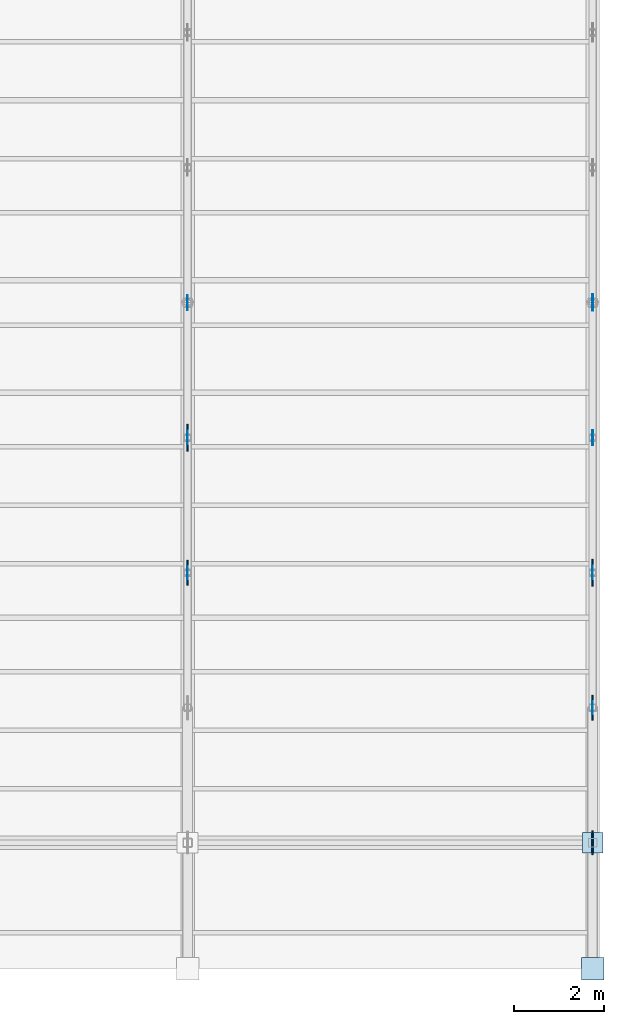
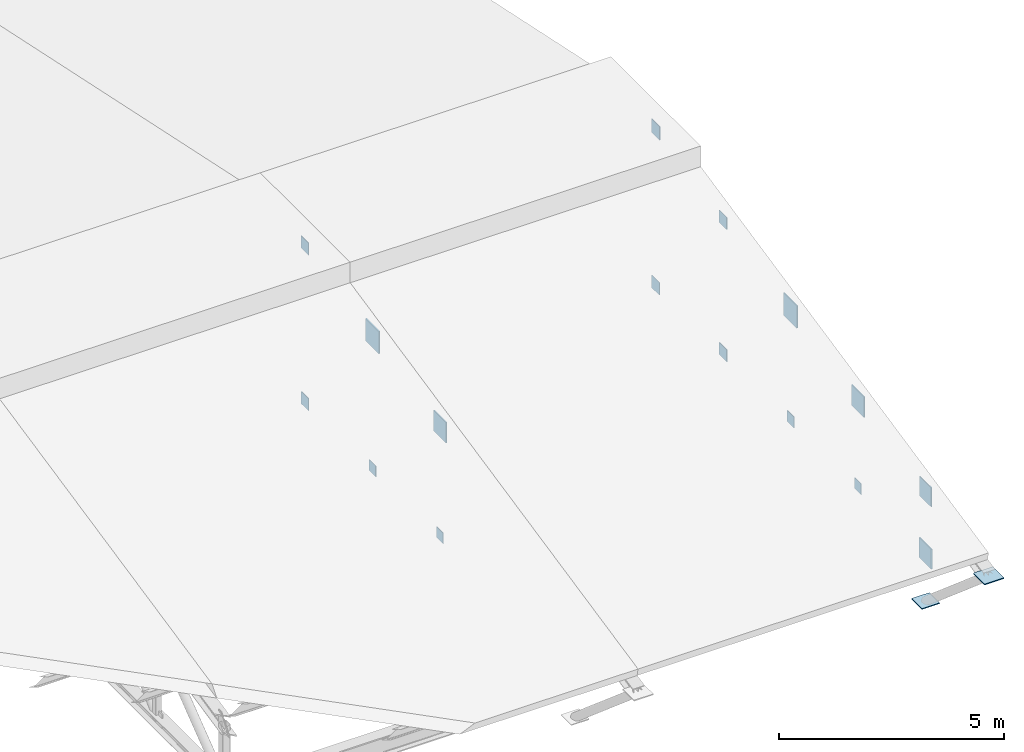
# One storey, part 41 of 43: 18 plates.
"""IFC4 building model written with IfcOpenShell, lengths in metres."""

from ifc_helpers import new_model, si_unit, direction, frame, origin, origin_2d, place, context, subcontext, project, spatial, rectangle, extrude, material, layer, layer_set, type_object, element, save


model = new_model("IFC4")

# Units and contexts
model_context = context("Model", 3, precision=1e-05, world=origin(), true_north=direction((0.0, 1.0)))
body_context = subcontext(model_context, "Body", "Model", "MODEL_VIEW")
ifc_project = project(units=[si_unit("LENGTHUNIT", "METRE"), si_unit("AREAUNIT", "SQUARE_METRE"), si_unit("VOLUMEUNIT", "CUBIC_METRE"), si_unit("PLANEANGLEUNIT", "RADIAN"), si_unit("MASSUNIT", "GRAM", prefix="KILO")], contexts=[model_context])

# Site, building, storey
site_placement = place(None, origin())
site = spatial("IfcSite", under=ifc_project, at=site_placement, CompositionType="ELEMENT")
building_placement = place(site_placement, origin())
building = spatial("IfcBuilding", under=site, at=building_placement, Name="Serraforn Aerial Cableway Station", CompositionType="ELEMENT")
storey_placement = place(building_placement, frame((0.0, 0.0, 18.300048828125)))
storey = spatial("IfcBuildingStorey", under=building, at=storey_placement, Name="RF", CompositionType="ELEMENT", Elevation=18.300048828125)

# Plates
ifc_material = material(Name="Steel S355J2", Category="steel")
ifc_layer_1 = layer(ifc_material, 0.014892578125)
ifc_layer_set_1 = layer_set([ifc_layer_1], Name="Steel S355J2")
plate_type_1 = type_object("IfcPlateType", Name="PLT-CAP-15", PredefinedType="USERDEFINED", material=ifc_layer_set_1)
for number, where, z_axis, x_axis, name in (
    (1, (81.60009765625, 24.0, -1.4951171875), (0.0, 0.0, 1.0), (1.0, 0.0, 0.0), "Truss Bottom Node Cap TR-07-3"),
    (2, (90.60009765625, 21.0, -1.4951171875), (0.0, 0.0, 1.0), (1.0, 0.0, 0.0), "Truss Bottom Node Cap TR-08-2"),
):
    element("IfcPlate", number, at=place(storey_placement, frame(where, z_axis=z_axis, x_axis=x_axis)), inside=storey, type_object=plate_type_1, Name=name, ObjectType="CAP PLATE", PredefinedType="USERDEFINED", context=body_context, shape_type="SweptSolid", body=[
        extrude(rectangle(XDim=0.014892578125, YDim=0.2900390625, at=origin_2d()), origin(), (0.0, 0.0, 1.0), 0.2900390625),
    ])
ifc_layer_2 = layer(ifc_material, 0.01611328125)
ifc_layer_set_2 = layer_set([ifc_layer_2], Name="Steel S355J2")
plate_type_2 = type_object("IfcPlateType", Name="PLT-CAP-16", PredefinedType="USERDEFINED", material=ifc_layer_set_2)
for number, where, z_axis, x_axis, name in (
    (3, (81.60009765625, 27.0, -1.5), (0.0, 0.0, 1.0), (1.0, 0.0, 0.0), "Truss Bottom Node Cap TR-07-4"),
    (4, (90.60009765625, 24.0, -1.5), (0.0, 0.0, 1.0), (1.0, 0.0, 0.0), "Truss Bottom Node Cap TR-08-3"),
):
    element("IfcPlate", number, at=place(storey_placement, frame(where, z_axis=z_axis, x_axis=x_axis)), inside=storey, type_object=plate_type_2, Name=name, ObjectType="CAP PLATE", PredefinedType="USERDEFINED", context=body_context, shape_type="SweptSolid", body=[
        extrude(rectangle(XDim=0.01611328125, YDim=0.300048828125, at=origin_2d()), origin(), (0.0, 0.0, 1.0), 0.300048828125),
    ])
ifc_layer_3 = layer(ifc_material, 0.01708984375)
ifc_layer_set_3 = layer_set([ifc_layer_3], Name="Steel S355J2")
plate_type_3 = type_object("IfcPlateType", Name="PLT-CAP-17", PredefinedType="USERDEFINED", material=ifc_layer_set_3)
for number, where, z_axis, x_axis, name in (
    (5, (81.60009765625, 30.0, -1.51513671875), (0.0, 0.0, 1.0), (1.0, 0.0, 0.0), "Truss Bottom Node Cap TR-07-5"),
    (6, (90.60009765625, 27.0, -1.51513671875), (0.0, 0.0, 1.0), (1.0, 0.0, 0.0), "Truss Bottom Node Cap TR-08-4"),
):
    element("IfcPlate", number, at=place(storey_placement, frame(where, z_axis=z_axis, x_axis=x_axis)), inside=storey, type_object=plate_type_3, Name=name, ObjectType="CAP PLATE", PredefinedType="USERDEFINED", context=body_context, shape_type="SweptSolid", body=[
        extrude(rectangle(XDim=0.01708984375, YDim=0.330078125, at=origin_2d()), origin(), (0.0, 0.0, 1.0), 0.330078125),
    ])
ifc_layer_4 = layer(ifc_material, 0.01806640625)
ifc_layer_set_4 = layer_set([ifc_layer_4], Name="Steel S355J2")
plate_type_4 = type_object("IfcPlateType", Name="PLT-CAP-18", PredefinedType="USERDEFINED", material=ifc_layer_set_4)
plate_1_placement = place(storey_placement, frame((90.60009765625, 30.0, -1.52001953125), z_axis=(0.0, 0.0, 1.0), x_axis=(1.0, 0.0, 0.0)))
element("IfcPlate", 7, at=plate_1_placement, inside=storey, type_object=plate_type_4, Name="Truss Bottom Node Cap TR-08-5", ObjectType="CAP PLATE", PredefinedType="USERDEFINED", context=body_context, shape_type="SweptSolid", body=[
    extrude(rectangle(XDim=0.01806640625, YDim=0.340087890625, at=origin_2d()), origin(), (0.0, 0.0, 1.0), 0.340087890625),
])
ifc_layer_5 = layer(ifc_material, 0.02392578125)
ifc_layer_set_5 = layer_set([ifc_layer_5], Name="Steel S355J2")
plate_type_5 = type_object("IfcPlateType", Name="PLT-CAP-24", PredefinedType="USERDEFINED", material=ifc_layer_set_5)
plate_2_placement = place(storey_placement, frame((90.60009765625, 18.0, -2.662109375), z_axis=(0.0, 0.0, 1.0), x_axis=(1.0, 0.0, 0.0)))
element("IfcPlate", 8, at=plate_2_placement, inside=storey, type_object=plate_type_5, Name="Truss Eave Column Gusset TR-08-ES", ObjectType="CAP PLATE", PredefinedType="USERDEFINED", context=body_context, shape_type="SweptSolid", body=[
    extrude(rectangle(XDim=0.4599609375, YDim=0.4599609375, at=origin_2d()), origin(), (0.0, 0.0, 1.0), 0.02392578125),
])
ifc_layer_6 = layer(ifc_material, 0.028076171875)
ifc_layer_set_6 = layer_set([ifc_layer_6], Name="Steel S355J2")
plate_type_6 = type_object("IfcPlateType", Name="PLT-CAP-28", PredefinedType="USERDEFINED", material=ifc_layer_set_6)
plate_3_placement = place(storey_placement, frame((90.60009765625, 15.199951171875, -0.2841796875), z_axis=(0.0, 0.0, 1.0), x_axis=(1.0, 0.0, 0.0)))
element("IfcPlate", 9, at=plate_3_placement, inside=storey, type_object=plate_type_6, Name="Truss Eave Tip Cap Plate TR-08-ES", ObjectType="CAP PLATE", PredefinedType="USERDEFINED", context=body_context, shape_type="SweptSolid", body=[
    extrude(rectangle(XDim=0.5, YDim=0.5, at=origin_2d()), origin(), (0.0, 0.0, 1.0), 0.028076171875),
])
ifc_layer_7 = layer(ifc_material, 0.031982421875)
ifc_layer_set_7 = layer_set([ifc_layer_7], Name="Steel S355J2")
plate_type_7 = type_object("IfcPlateType", Name="PLT-CAP-32", PredefinedType="USERDEFINED", material=ifc_layer_set_7)
plate_4_placement = place(storey_placement, frame((90.60009765625, 18.0, -1.6201171875), z_axis=(0.0, 0.0, 1.0), x_axis=(1.0, 0.0, 0.0)))
element("IfcPlate", 10, at=plate_4_placement, inside=storey, type_object=plate_type_7, Name="Truss Bottom Node Cap TR-08-1", ObjectType="CAP PLATE", PredefinedType="USERDEFINED", context=body_context, shape_type="SweptSolid", body=[
    extrude(rectangle(XDim=0.031982421875, YDim=0.5400390625, at=origin_2d()), origin(), (0.0, 0.0, 1.0), 0.5400390625),
])
ifc_layer_8 = layer(ifc_material, 0.014892578125)
ifc_layer_set_8 = layer_set([ifc_layer_8], Name="Steel S355J2")
plate_type_8 = type_object("IfcPlateType", Name="PLT-GUS-15", PredefinedType="USERDEFINED", material=ifc_layer_set_8)
for number, where, z_axis, x_axis, name in (
    (11, (81.60009765625, 30.0, 2.7109375), (0.0, 0.0, 1.0), (1.0, 0.0, 0.0), "Truss Top Node Gusset TR-07-5"),
    (12, (90.60009765625, 27.0, 2.0732421875), (0.0, 0.0, 1.0), (1.0, 0.0, 0.0), "Truss Top Node Gusset TR-08-4"),
):
    element("IfcPlate", number, at=place(storey_placement, frame(where, z_axis=z_axis, x_axis=x_axis)), inside=storey, type_object=plate_type_8, Name=name, ObjectType="GUSSET PLATE", PredefinedType="USERDEFINED", context=body_context, shape_type="SweptSolid", body=[
        extrude(rectangle(XDim=0.014892578125, YDim=0.330078125, at=origin_2d()), origin(), (0.0, 0.0, 1.0), 0.330078125),
    ])
ifc_layer_9 = layer(ifc_material, 0.01708984375)
ifc_layer_set_9 = layer_set([ifc_layer_9], Name="Steel S355J2")
plate_type_9 = type_object("IfcPlateType", Name="PLT-GUS-17", PredefinedType="USERDEFINED", material=ifc_layer_set_9)
plate_5_placement = place(storey_placement, frame((90.60009765625, 30.0, 2.69091796875), z_axis=(0.0, 0.0, 1.0), x_axis=(1.0, 0.0, 0.0)))
element("IfcPlate", 13, at=plate_5_placement, inside=storey, type_object=plate_type_9, Name="Truss Top Node Gusset TR-08-5", ObjectType="GUSSET PLATE", PredefinedType="USERDEFINED", context=body_context, shape_type="SweptSolid", body=[
    extrude(rectangle(XDim=0.01708984375, YDim=0.3701171875, at=origin_2d()), origin(), (0.0, 0.0, 1.0), 0.3701171875),
])
ifc_layer_10 = layer(ifc_material, 0.02587890625)
ifc_layer_set_10 = layer_set([ifc_layer_10], Name="Steel S355J2")
plate_type_10 = type_object("IfcPlateType", Name="PLT-GUS-26", PredefinedType="USERDEFINED", material=ifc_layer_set_10)
plate_6_placement = place(storey_placement, frame((90.60009765625, 18.0, 0.065185546875), z_axis=(0.0, 0.0, 1.0), x_axis=(1.0, 0.0, 0.0)))
element("IfcPlate", 14, at=plate_6_placement, inside=storey, type_object=plate_type_10, Name="Truss Top Node Gusset TR-08-1", ObjectType="GUSSET PLATE", PredefinedType="USERDEFINED", context=body_context, shape_type="SweptSolid", body=[
    extrude(rectangle(XDim=0.02587890625, YDim=0.52001953125, at=origin_2d()), origin(), (0.0, 0.0, 1.0), 0.52001953125),
])
ifc_layer_11 = layer(ifc_material, 0.028076171875)
ifc_layer_set_11 = layer_set([ifc_layer_11], Name="Steel S355J2")
plate_type_11 = type_object("IfcPlateType", Name="PLT-GUS-28", PredefinedType="USERDEFINED", material=ifc_layer_set_11)
for number, where, z_axis, x_axis, name in (
    (15, (81.60009765625, 24.0, 1.320556640625), (0.0, 0.0, 1.0), (1.0, 0.0, 0.0), "Truss Top Node Gusset TR-07-3"),
    (16, (90.60009765625, 21.0, 0.682861328125), (0.0, 0.0, 1.0), (1.0, 0.0, 0.0), "Truss Top Node Gusset TR-08-2"),
):
    element("IfcPlate", number, at=place(storey_placement, frame(where, z_axis=z_axis, x_axis=x_axis)), inside=storey, type_object=plate_type_11, Name=name, ObjectType="GUSSET PLATE", PredefinedType="USERDEFINED", context=body_context, shape_type="SweptSolid", body=[
        extrude(rectangle(XDim=0.028076171875, YDim=0.56005859375, at=origin_2d()), origin(), (0.0, 0.0, 1.0), 0.56005859375),
    ])
ifc_layer_12 = layer(ifc_material, 0.031982421875)
ifc_layer_set_12 = layer_set([ifc_layer_12], Name="Steel S355J2")
plate_type_12 = type_object("IfcPlateType", Name="PLT-GUS-32", PredefinedType="USERDEFINED", material=ifc_layer_set_12)
for number, where, z_axis, x_axis, name in (
    (17, (81.60009765625, 27.0, 1.938232421875), (0.0, 0.0, 1.0), (1.0, 0.0, 0.0), "Truss Top Node Gusset TR-07-4"),
    (18, (90.60009765625, 24.0, 1.300537109375), (0.0, 0.0, 1.0), (1.0, 0.0, 0.0), "Truss Top Node Gusset TR-08-3"),
):
    element("IfcPlate", number, at=place(storey_placement, frame(where, z_axis=z_axis, x_axis=x_axis)), inside=storey, type_object=plate_type_12, Name=name, ObjectType="GUSSET PLATE", PredefinedType="USERDEFINED", context=body_context, shape_type="SweptSolid", body=[
        extrude(rectangle(XDim=0.031982421875, YDim=0.60009765625, at=origin_2d()), origin(), (0.0, 0.0, 1.0), 0.60009765625),
    ])

save(model, "model.ifc")
